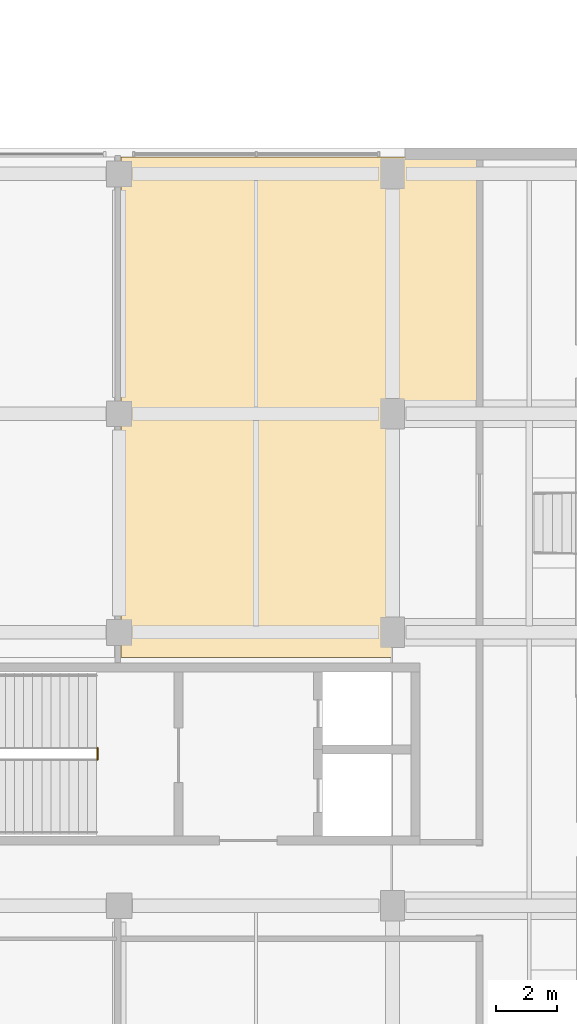
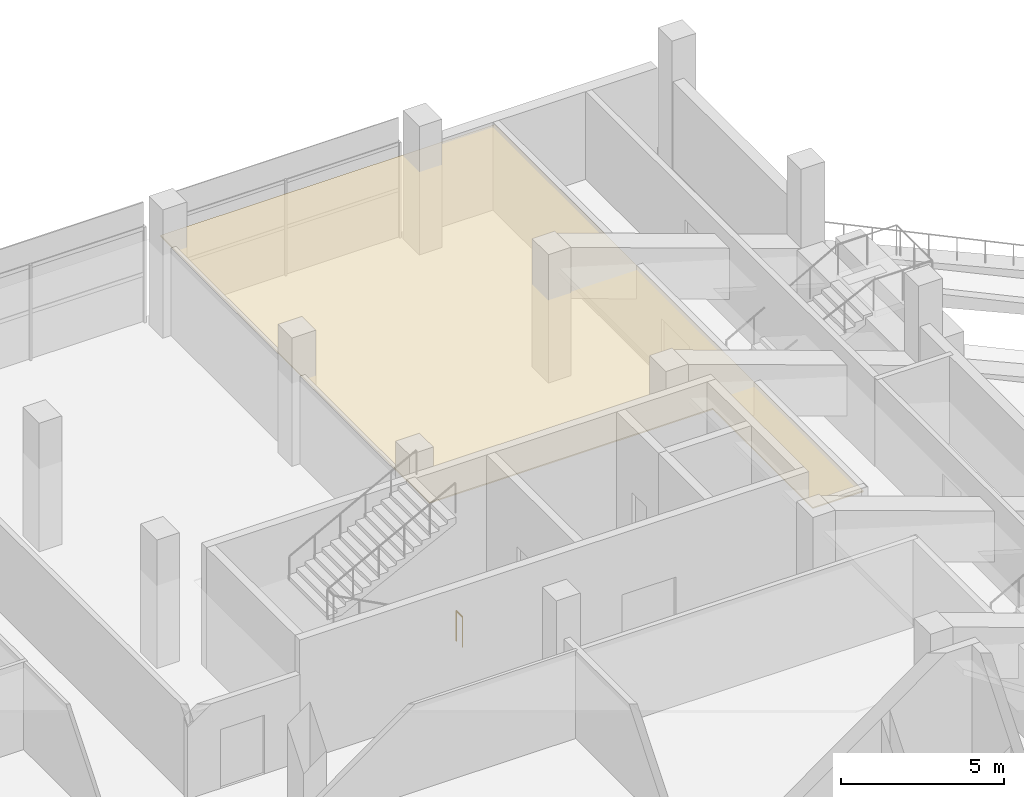
# One storey, part 62 of 66: 1 covering, 1 railing.
"""IFC4 building model written with IfcOpenShell, lengths in metres."""

import ifcopenshell
import ifcopenshell.guid

model = None  # the IFC model being written
_history = None  # IfcOwnerHistory: only IFC2X3 demands one
_inside = {}  # id of a spatial element -> (the spatial element, [elements in it])
_under = {}  # id of a project, library or spatial element -> (it, [spatial elements below it])
_declared = {}  # id of a project -> (the project, [libraries it declares])
_typed = {}  # id of a type object -> (the type object, [elements of that type])
_made_of = {}  # id of a material, layer set ... -> (it, [elements and type objects made of it])


def new_model(schema):
    """Start an empty IFC model of exactly this schema.

    Asked for "IFC4X3", IfcOpenShell would pick the latest addendum, in which some entities
    have other attributes; the version numbers below select the first issue.
    IFC2X3 requires an IfcOwnerHistory on every rooted entity: one is made here for all.
    """
    global model, _history
    if schema == "IFC4X3":
        model = ifcopenshell.file(schema_version=(4, 3, 0, 0))
    else:
        model = ifcopenshell.file(schema=schema)
    _inside.clear()
    _under.clear()
    _declared.clear()
    _typed.clear()
    _made_of.clear()
    _history = None
    if model.schema == "IFC2X3":
        org = make("IfcOrganization", Name="unknown")
        user = make(
            "IfcPersonAndOrganization",
            ThePerson=make("IfcPerson", FamilyName="unknown"),
            TheOrganization=org,
        )
        app = make(
            "IfcApplication",
            ApplicationDeveloper=org,
            Version="unknown",
            ApplicationFullName="unknown",
            ApplicationIdentifier="unknown",
        )
        _history = make(
            "IfcOwnerHistory",
            OwningUser=user,
            OwningApplication=app,
            ChangeAction="ADDED",
            CreationDate=0,
        )
    return model


def make(cls, **values):
    """One entity of the class cls with the attributes given. An attribute that is None is left unset."""
    return model.create_entity(
        cls, **{name: value for name, value in values.items() if value is not None}
    )


def rooted(cls, **values):
    """An entity with a GlobalId (a new one), such as an element, a storey or a relation."""
    return make(cls, GlobalId=ifcopenshell.guid.new(), OwnerHistory=_history, **values)


def si_unit(unit_type, name, prefix=None):
    """IfcSIUnit, for example si_unit("LENGTHUNIT", "METRE", prefix="MILLI")."""
    return make("IfcSIUnit", UnitType=unit_type, Prefix=prefix, Name=name)


def assignment(units):
    """IfcUnitAssignment: the units of a project."""
    return None if units is None else make("IfcUnitAssignment", Units=units)


def point(xyz):
    """IfcCartesianPoint."""
    return None if xyz is None else make("IfcCartesianPoint", Coordinates=xyz)


def direction(xyz):
    """IfcDirection."""
    return None if xyz is None else make("IfcDirection", DirectionRatios=xyz)


def frame(location, z_axis=None, x_axis=None):
    """IfcAxis2Placement3D, a coordinate frame: its origin and axes. An axis left out is left unset."""
    return make(
        "IfcAxis2Placement3D",
        Location=point(location),
        Axis=direction(z_axis),
        RefDirection=direction(x_axis),
    )


def frame_2d(location, x_axis=None):
    """IfcAxis2Placement2D, a coordinate frame in the plane: its origin and x axis."""
    return make(
        "IfcAxis2Placement2D", Location=point(location), RefDirection=direction(x_axis)
    )


def origin():
    """The frame at (0, 0, 0) with its axes left unset."""
    return frame((0.0, 0.0, 0.0))


def origin_2d():
    """The frame at (0, 0) in the plane with its x axis left unset."""
    return frame_2d((0.0, 0.0))


def place(relative_to, where):
    """IfcLocalPlacement: puts the frame where relative to a parent placement (None: the world)."""
    return make(
        "IfcLocalPlacement", PlacementRelTo=relative_to, RelativePlacement=where
    )


def context(
    kind, dimensions, precision=None, world=None, true_north=None, identifier=None
):
    """IfcGeometricRepresentationContext, for example the 3D "Model" context."""
    return make(
        "IfcGeometricRepresentationContext",
        ContextIdentifier=identifier,
        ContextType=kind,
        CoordinateSpaceDimension=dimensions,
        Precision=precision,
        WorldCoordinateSystem=world,
        TrueNorth=true_north,
    )


def subcontext(parent, identifier, kind, view, scale=None):
    """IfcGeometricRepresentationSubContext, for example "Body" below "Model"."""
    return make(
        "IfcGeometricRepresentationSubContext",
        ContextIdentifier=identifier,
        ContextType=kind,
        ParentContext=parent,
        TargetScale=scale,
        TargetView=view,
    )


def project(units=None, contexts=None):
    """IfcProject with its units and contexts."""
    return rooted(
        "IfcProject",
        Name="project",
        RepresentationContexts=contexts,
        UnitsInContext=assignment(units),
    )


def spatial(cls, under=None, at=None, **own):
    """A site, building, storey or space (cls), placed at a placement, below another one or the project."""
    s = rooted(cls, ObjectPlacement=at, **own)
    if under is not None:
        _under.setdefault(under.id(), (under, []))[1].append(s)
    return s


def polyline(points):
    """IfcPolyline through the points."""
    return make("IfcPolyline", Points=[point(p) for p in points])


def profile(cls, at=None, kind="AREA", **sizes):
    """A parametric profile (cls). Its sizes go by their IFC names, for example OverallWidth=200.0."""
    return make(cls, ProfileType=kind, Position=at, **sizes)


def circle(**sizes):
    """IfcCircleProfileDef."""
    return profile("IfcCircleProfileDef", **sizes)


def outline(outer, holes=None, kind="AREA"):
    """IfcArbitraryClosedProfileDef: a profile drawn as a closed curve; with holes, ...WithVoids."""
    if holes is None:
        return make("IfcArbitraryClosedProfileDef", ProfileType=kind, OuterCurve=outer)
    return make(
        "IfcArbitraryProfileDefWithVoids",
        ProfileType=kind,
        OuterCurve=outer,
        InnerCurves=holes,
    )


def extrude(swept, where, along, depth):
    """IfcExtrudedAreaSolid: the profile swept, set in the frame where, extruded along a direction by depth."""
    return make(
        "IfcExtrudedAreaSolid",
        SweptArea=swept,
        Position=where,
        ExtrudedDirection=direction(along),
        Depth=depth,
    )


def shape(context_of_items, identifier, shape_type, items):
    """IfcShapeRepresentation: the items that make up one representation, for example the "Body"."""
    return make(
        "IfcShapeRepresentation",
        ContextOfItems=context_of_items,
        RepresentationIdentifier=identifier,
        RepresentationType=shape_type,
        Items=items,
    )


def material(Name=None, Category=None):
    """IfcMaterial."""
    return make("IfcMaterial", Name=Name, Category=Category)


def layer(
    of_material, thickness, ventilated=None, Name=None, Category=None, Priority=None
):
    """IfcMaterialLayer: one layer of a wall or slab, of a material (None: an air gap)."""
    return make(
        "IfcMaterialLayer",
        Material=of_material,
        LayerThickness=thickness,
        IsVentilated=ventilated,
        Name=Name,
        Category=Category,
        Priority=Priority,
    )


def layer_set(layers, Name=None):
    """IfcMaterialLayerSet."""
    return make("IfcMaterialLayerSet", MaterialLayers=layers, LayerSetName=Name)


def made_of(thing, what):
    """Note that an element or type object is made of a material, layer set ...; save() writes the relation."""
    if what is not None:
        _made_of.setdefault(what.id(), (what, []))[1].append(thing)
    return thing


def type_object(cls, material=None, **own):
    """A type object (cls), such as IfcWallType, which elements share."""
    return made_of(rooted(cls, **own), material)


def element(
    cls,
    number,
    at=None,
    inside=None,
    cuts=None,
    type_object=None,
    material=None,
    context=None,
    identifier="Body",
    shape_type=None,
    held_by="IfcProductDefinitionShape",
    body=None,
    shapes=None,
    **own,
):
    """One element of the class cls, such as IfcWall. Its Tag is "e" and its number.

    at: its placement. inside: the storey or other place that contains it. cuts: it is an
    opening in that element (IfcRelVoidsElement). A single representation is given by context,
    identifier, shape_type and body (its items); several are given by shapes. held_by: the class
    of the entity that holds the representations. save() writes the other relations.
    """
    e = rooted(cls, Tag="e%d" % number, ObjectPlacement=at, **own)
    if body is not None:
        shapes = [shape(context, identifier, shape_type, body)]
    if shapes is not None:
        e.Representation = make(held_by, Representations=shapes)
    if inside is not None:
        _inside.setdefault(inside.id(), (inside, []))[1].append(e)
    if cuts is not None:
        rooted(
            "IfcRelVoidsElement", RelatingBuildingElement=cuts, RelatedOpeningElement=e
        )
    if type_object is not None:
        _typed.setdefault(type_object.id(), (type_object, []))[1].append(e)
    return made_of(e, material)


def aggregate(whole, parts):
    """IfcRelAggregates: a whole, such as a stair, and the parts it consists of."""
    return rooted("IfcRelAggregates", RelatingObject=whole, RelatedObjects=parts)


def save(model, path):
    """Write the relations noted so far, then the file.

    IfcRelAggregates (storeys below a building ...), IfcRelContainedInSpatialStructure (elements
    in a storey), IfcRelDefinesByType, IfcRelAssociatesMaterial and IfcRelDeclares: one each for
    every whole, place, type object, material and project.
    """
    for whole, parts in _under.values():
        aggregate(whole, parts)
    for where, things in _inside.values():
        rooted(
            "IfcRelContainedInSpatialStructure",
            RelatedElements=things,
            RelatingStructure=where,
        )
    for kind, things in _typed.values():
        rooted("IfcRelDefinesByType", RelatedObjects=things, RelatingType=kind)
    for what, things in _made_of.values():
        rooted("IfcRelAssociatesMaterial", RelatedObjects=things, RelatingMaterial=what)
    for by, libraries in _declared.values():
        rooted("IfcRelDeclares", RelatingContext=by, RelatedDefinitions=libraries)
    model.write(path)


model = new_model("IFC4")

# Units and contexts
model_context = context("Model", 3, precision=1e-05, world=origin(), true_north=direction((0.0, 1.0)))
body_context = subcontext(model_context, "Body", "Model", "MODEL_VIEW")
ifc_project = project(units=[si_unit("LENGTHUNIT", "METRE"), si_unit("AREAUNIT", "SQUARE_METRE"), si_unit("VOLUMEUNIT", "CUBIC_METRE"), si_unit("PLANEANGLEUNIT", "RADIAN"), si_unit("MASSUNIT", "GRAM", prefix="KILO"), si_unit("THERMODYNAMICTEMPERATUREUNIT", "KELVIN"), si_unit("POWERUNIT", "WATT")], contexts=[model_context])

# Site, building, storey
site_placement = place(None, origin())
site = spatial("IfcSite", under=ifc_project, at=site_placement, CompositionType="ELEMENT")
building_placement = place(site_placement, origin())
building = spatial("IfcBuilding", under=site, at=building_placement, Name="Sindhuravela Promenade Stadium", CompositionType="ELEMENT")
storey_placement = place(building_placement, frame((0.0, 0.0, 19.199951171875)))
storey = spatial("IfcBuildingStorey", under=building, at=storey_placement, Name="L04", CompositionType="ELEMENT", Elevation=19.199951171875)

# Covering
ifc_material_1 = material(Name="Acoustic mineral-fibre ceiling tile", Category="gypsum")
ifc_layer = layer(ifc_material_1, 0.044921875)
ifc_layer_set = layer_set([ifc_layer], Name="Acoustic mineral-fibre ceiling tile")
covering_type = type_object("IfcCoveringType", Name="CV-CEIL-2", PredefinedType="CEILING", material=ifc_layer_set)
covering_placement = place(storey_placement, frame((0.0, 0.0, 3.050048828125)))
element("IfcCovering", 1, at=covering_placement, inside=storey, type_object=covering_type, Name="Acoustic ceiling Panorama Supporters Lounge West", PredefinedType="CEILING", context=body_context, shape_type="SweptSolid", body=[
    extrude(outline(polyline([(29.8798828125, 102.889892578125), (29.8798828125, 102.887939453125), (29.879638671875, 102.885986328125), (29.879150390625, 102.88427734375), (29.87841796875, 102.88232421875), (29.877685546875, 102.880615234375), (29.876708984375, 102.87890625), (29.87548828125, 102.877197265625), (29.8740234375, 102.8759765625), (29.872802734375, 102.87451171875), (29.87109375, 102.873291015625), (29.869384765625, 102.872314453125), (29.86767578125, 102.87158203125), (29.86572265625, 102.870849609375), (29.864013671875, 102.870361328125), (29.862060546875, 102.8701171875), (29.860107421875, 102.8701171875), (28.10009765625, 102.8701171875), (28.097900390625, 102.8701171875), (28.09619140625, 102.870361328125), (28.09423828125, 102.870849609375), (28.09228515625, 102.87158203125), (28.090576171875, 102.872314453125), (28.0888671875, 102.873291015625), (28.08740234375, 102.87451171875), (28.0859375, 102.8759765625), (28.08447265625, 102.877197265625), (28.08349609375, 102.87890625), (28.08251953125, 102.880615234375), (28.08154296875, 102.88232421875), (28.080810546875, 102.88427734375), (28.080322265625, 102.885986328125), (28.080078125, 102.887939453125), (28.080078125, 102.889892578125), (28.080078125, 108.97998046875), (18.070068359375, 108.97998046875), (18.068115234375, 108.97998046875), (18.066162109375, 108.98046875), (18.064208984375, 108.98095703125), (18.062255859375, 108.9814453125), (18.060546875, 108.982421875), (18.058837890625, 108.9833984375), (18.057373046875, 108.984619140625), (18.055908203125, 108.98583984375), (18.054443359375, 108.9873046875), (18.053466796875, 108.989013671875), (18.052490234375, 108.990478515625), (18.051513671875, 108.9921875), (18.05078125, 108.994140625), (18.05029296875, 108.99609375), (18.050048828125, 108.998046875), (18.050048828125, 109.0), (18.050048828125, 125.429931640625), (18.050048828125, 125.431884765625), (18.05029296875, 125.433837890625), (18.05078125, 125.435791015625), (18.051513671875, 125.437744140625), (18.052490234375, 125.439453125), (18.053466796875, 125.441162109375), (18.054443359375, 125.442626953125), (18.055908203125, 125.444091796875), (18.057373046875, 125.445556640625), (18.058837890625, 125.446533203125), (18.060546875, 125.447509765625), (18.062255859375, 125.448486328125), (18.064208984375, 125.44921875), (18.066162109375, 125.44970703125), (18.068115234375, 125.449951171875), (18.070068359375, 125.449951171875), (29.860107421875, 125.449951171875), (29.862060546875, 125.449951171875), (29.864013671875, 125.44970703125), (29.86572265625, 125.44921875), (29.86767578125, 125.448486328125), (29.869384765625, 125.447509765625), (29.87109375, 125.446533203125), (29.872802734375, 125.445556640625), (29.8740234375, 125.444091796875), (29.87548828125, 125.442626953125), (29.876708984375, 125.441162109375), (29.877685546875, 125.439453125), (29.87841796875, 125.437744140625), (29.879150390625, 125.435791015625), (29.879638671875, 125.433837890625), (29.8798828125, 125.431884765625), (29.8798828125, 125.429931640625), (29.8798828125, 102.889892578125)])), origin(), (0.0, 0.0, 1.0), 0.044921875),
])

# Railing
ifc_material_2 = material(Name="Architectural wrought steel E350", Category="steel")
railing_type = type_object("IfcRailingType", Name="RL-GRD-1150", PredefinedType="GUARDRAIL", material=ifc_material_2)
railing_placement = place(storey_placement, frame((17.280029296875, 105.610107421875, 0.0)))
element("IfcRailing", 2, at=railing_placement, inside=storey, type_object=railing_type, Name="Stair ST04 landing well slot guard (L04)", PredefinedType="GUARDRAIL", context=body_context, shape_type="SweptSolid", body=[
    extrude(circle(Radius=0.02392578125, at=origin_2d()), frame((0.0, 0.0, 1.1259765625), z_axis=(0.0, 1.0, 0.0), x_axis=(-1.0, 0.0, 0.0)), (0.0, 0.0, 1.0), 0.3798828125),
    extrude(circle(Radius=0.02099609375, at=origin_2d()), origin(), (0.0, 0.0, 1.0), 1.101806640625),
    extrude(circle(Radius=0.02099609375, at=origin_2d()), frame((0.0, 0.3798828125, 0.0)), (0.0, 0.0, 1.0), 1.101806640625),
])

save(model, "model.ifc")
